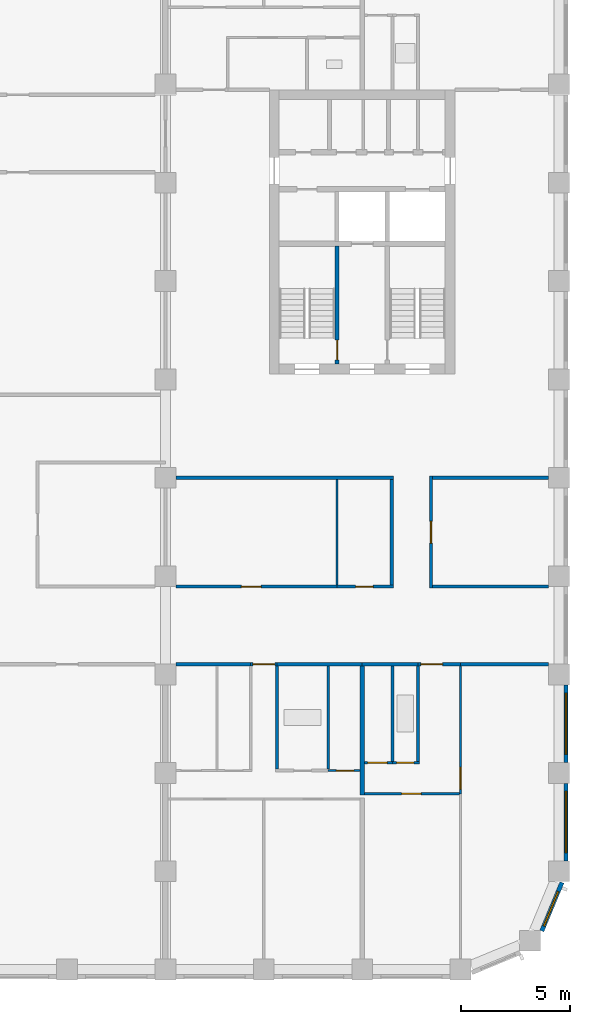
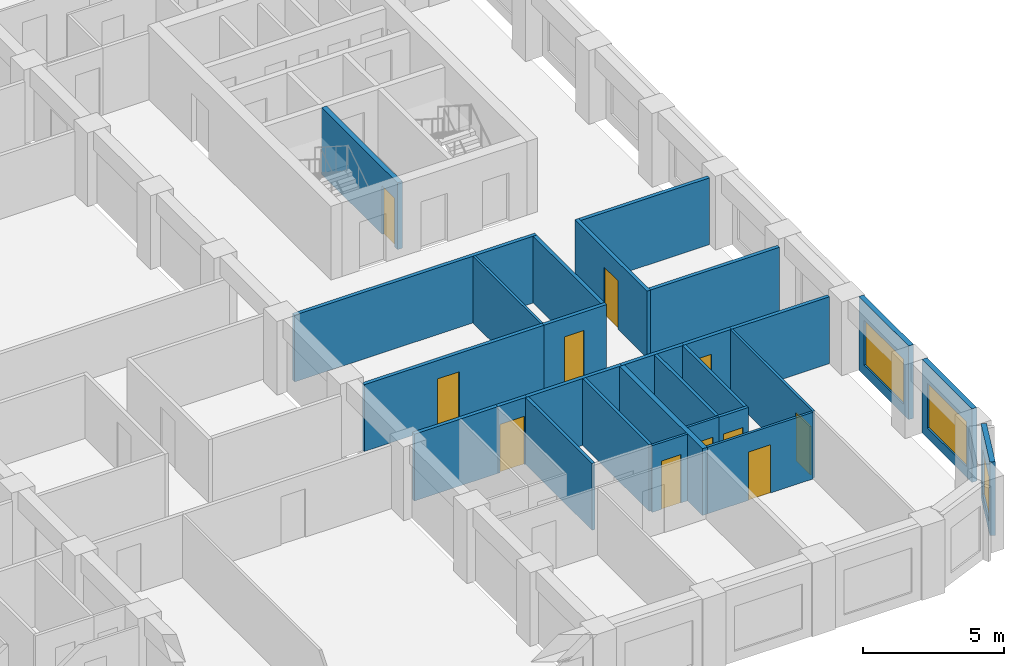
# One storey, part 5 of 12: 28 walls, 11 doors, 3 windows, 14 openings.
"""IFC4 building model written with IfcOpenShell, lengths in metres."""

import ifcopenshell
import ifcopenshell.guid

model = None  # the IFC model being written
_history = None  # IfcOwnerHistory: only IFC2X3 demands one
_inside = {}  # id of a spatial element -> (the spatial element, [elements in it])
_under = {}  # id of a project, library or spatial element -> (it, [spatial elements below it])
_declared = {}  # id of a project -> (the project, [libraries it declares])
_typed = {}  # id of a type object -> (the type object, [elements of that type])
_made_of = {}  # id of a material, layer set ... -> (it, [elements and type objects made of it])


def new_model(schema):
    """Start an empty IFC model of exactly this schema.

    Asked for "IFC4X3", IfcOpenShell would pick the latest addendum, in which some entities
    have other attributes; the version numbers below select the first issue.
    IFC2X3 requires an IfcOwnerHistory on every rooted entity: one is made here for all.
    """
    global model, _history
    if schema == "IFC4X3":
        model = ifcopenshell.file(schema_version=(4, 3, 0, 0))
    else:
        model = ifcopenshell.file(schema=schema)
    _inside.clear()
    _under.clear()
    _declared.clear()
    _typed.clear()
    _made_of.clear()
    _history = None
    if model.schema == "IFC2X3":
        org = make("IfcOrganization", Name="unknown")
        user = make(
            "IfcPersonAndOrganization",
            ThePerson=make("IfcPerson", FamilyName="unknown"),
            TheOrganization=org,
        )
        app = make(
            "IfcApplication",
            ApplicationDeveloper=org,
            Version="unknown",
            ApplicationFullName="unknown",
            ApplicationIdentifier="unknown",
        )
        _history = make(
            "IfcOwnerHistory",
            OwningUser=user,
            OwningApplication=app,
            ChangeAction="ADDED",
            CreationDate=0,
        )
    return model


def make(cls, **values):
    """One entity of the class cls with the attributes given. An attribute that is None is left unset."""
    return model.create_entity(
        cls, **{name: value for name, value in values.items() if value is not None}
    )


def rooted(cls, **values):
    """An entity with a GlobalId (a new one), such as an element, a storey or a relation."""
    return make(cls, GlobalId=ifcopenshell.guid.new(), OwnerHistory=_history, **values)


def si_unit(unit_type, name, prefix=None):
    """IfcSIUnit, for example si_unit("LENGTHUNIT", "METRE", prefix="MILLI")."""
    return make("IfcSIUnit", UnitType=unit_type, Prefix=prefix, Name=name)


def assignment(units):
    """IfcUnitAssignment: the units of a project."""
    return None if units is None else make("IfcUnitAssignment", Units=units)


def point(xyz):
    """IfcCartesianPoint."""
    return None if xyz is None else make("IfcCartesianPoint", Coordinates=xyz)


def direction(xyz):
    """IfcDirection."""
    return None if xyz is None else make("IfcDirection", DirectionRatios=xyz)


def frame(location, z_axis=None, x_axis=None):
    """IfcAxis2Placement3D, a coordinate frame: its origin and axes. An axis left out is left unset."""
    return make(
        "IfcAxis2Placement3D",
        Location=point(location),
        Axis=direction(z_axis),
        RefDirection=direction(x_axis),
    )


def frame_2d(location, x_axis=None):
    """IfcAxis2Placement2D, a coordinate frame in the plane: its origin and x axis."""
    return make(
        "IfcAxis2Placement2D", Location=point(location), RefDirection=direction(x_axis)
    )


def origin():
    """The frame at (0, 0, 0) with its axes left unset."""
    return frame((0.0, 0.0, 0.0))


def place(relative_to, where):
    """IfcLocalPlacement: puts the frame where relative to a parent placement (None: the world)."""
    return make(
        "IfcLocalPlacement", PlacementRelTo=relative_to, RelativePlacement=where
    )


def context(
    kind, dimensions, precision=None, world=None, true_north=None, identifier=None
):
    """IfcGeometricRepresentationContext, for example the 3D "Model" context."""
    return make(
        "IfcGeometricRepresentationContext",
        ContextIdentifier=identifier,
        ContextType=kind,
        CoordinateSpaceDimension=dimensions,
        Precision=precision,
        WorldCoordinateSystem=world,
        TrueNorth=true_north,
    )


def subcontext(parent, identifier, kind, view, scale=None):
    """IfcGeometricRepresentationSubContext, for example "Body" below "Model"."""
    return make(
        "IfcGeometricRepresentationSubContext",
        ContextIdentifier=identifier,
        ContextType=kind,
        ParentContext=parent,
        TargetScale=scale,
        TargetView=view,
    )


def project(units=None, contexts=None):
    """IfcProject with its units and contexts."""
    return rooted(
        "IfcProject",
        Name="project",
        RepresentationContexts=contexts,
        UnitsInContext=assignment(units),
    )


def spatial(cls, under=None, at=None, **own):
    """A site, building, storey or space (cls), placed at a placement, below another one or the project."""
    s = rooted(cls, ObjectPlacement=at, **own)
    if under is not None:
        _under.setdefault(under.id(), (under, []))[1].append(s)
    return s


def profile(cls, at=None, kind="AREA", **sizes):
    """A parametric profile (cls). Its sizes go by their IFC names, for example OverallWidth=200.0."""
    return make(cls, ProfileType=kind, Position=at, **sizes)


def rectangle(**sizes):
    """IfcRectangleProfileDef."""
    return profile("IfcRectangleProfileDef", **sizes)


def extrude(swept, where, along, depth):
    """IfcExtrudedAreaSolid: the profile swept, set in the frame where, extruded along a direction by depth."""
    return make(
        "IfcExtrudedAreaSolid",
        SweptArea=swept,
        Position=where,
        ExtrudedDirection=direction(along),
        Depth=depth,
    )


def shape(context_of_items, identifier, shape_type, items):
    """IfcShapeRepresentation: the items that make up one representation, for example the "Body"."""
    return make(
        "IfcShapeRepresentation",
        ContextOfItems=context_of_items,
        RepresentationIdentifier=identifier,
        RepresentationType=shape_type,
        Items=items,
    )


def material(Name=None, Category=None):
    """IfcMaterial."""
    return make("IfcMaterial", Name=Name, Category=Category)


def layer(
    of_material, thickness, ventilated=None, Name=None, Category=None, Priority=None
):
    """IfcMaterialLayer: one layer of a wall or slab, of a material (None: an air gap)."""
    return make(
        "IfcMaterialLayer",
        Material=of_material,
        LayerThickness=thickness,
        IsVentilated=ventilated,
        Name=Name,
        Category=Category,
        Priority=Priority,
    )


def layer_set(layers, Name=None):
    """IfcMaterialLayerSet."""
    return make("IfcMaterialLayerSet", MaterialLayers=layers, LayerSetName=Name)


def made_of(thing, what):
    """Note that an element or type object is made of a material, layer set ...; save() writes the relation."""
    if what is not None:
        _made_of.setdefault(what.id(), (what, []))[1].append(thing)
    return thing


def type_object(cls, material=None, **own):
    """A type object (cls), such as IfcWallType, which elements share."""
    return made_of(rooted(cls, **own), material)


def element(
    cls,
    number,
    at=None,
    inside=None,
    cuts=None,
    type_object=None,
    material=None,
    context=None,
    identifier="Body",
    shape_type=None,
    held_by="IfcProductDefinitionShape",
    body=None,
    shapes=None,
    **own,
):
    """One element of the class cls, such as IfcWall. Its Tag is "e" and its number.

    at: its placement. inside: the storey or other place that contains it. cuts: it is an
    opening in that element (IfcRelVoidsElement). A single representation is given by context,
    identifier, shape_type and body (its items); several are given by shapes. held_by: the class
    of the entity that holds the representations. save() writes the other relations.
    """
    e = rooted(cls, Tag="e%d" % number, ObjectPlacement=at, **own)
    if body is not None:
        shapes = [shape(context, identifier, shape_type, body)]
    if shapes is not None:
        e.Representation = make(held_by, Representations=shapes)
    if inside is not None:
        _inside.setdefault(inside.id(), (inside, []))[1].append(e)
    if cuts is not None:
        rooted(
            "IfcRelVoidsElement", RelatingBuildingElement=cuts, RelatedOpeningElement=e
        )
    if type_object is not None:
        _typed.setdefault(type_object.id(), (type_object, []))[1].append(e)
    return made_of(e, material)


def fill(opening, filler):
    """IfcRelFillsElement: the door or window that sits in an opening."""
    return rooted(
        "IfcRelFillsElement",
        RelatingOpeningElement=opening,
        RelatedBuildingElement=filler,
    )


def aggregate(whole, parts):
    """IfcRelAggregates: a whole, such as a stair, and the parts it consists of."""
    return rooted("IfcRelAggregates", RelatingObject=whole, RelatedObjects=parts)


def save(model, path):
    """Write the relations noted so far, then the file.

    IfcRelAggregates (storeys below a building ...), IfcRelContainedInSpatialStructure (elements
    in a storey), IfcRelDefinesByType, IfcRelAssociatesMaterial and IfcRelDeclares: one each for
    every whole, place, type object, material and project.
    """
    for whole, parts in _under.values():
        aggregate(whole, parts)
    for where, things in _inside.values():
        rooted(
            "IfcRelContainedInSpatialStructure",
            RelatedElements=things,
            RelatingStructure=where,
        )
    for kind, things in _typed.values():
        rooted("IfcRelDefinesByType", RelatedObjects=things, RelatingType=kind)
    for what, things in _made_of.values():
        rooted("IfcRelAssociatesMaterial", RelatedObjects=things, RelatingMaterial=what)
    for by, libraries in _declared.values():
        rooted("IfcRelDeclares", RelatingContext=by, RelatedDefinitions=libraries)
    model.write(path)


model = new_model("IFC4")

# Units and contexts
model_context = context("Model", 3, precision=1e-05, world=origin(), true_north=direction((0.0, 1.0)))
body_context = subcontext(model_context, "Body", "Model", "MODEL_VIEW")
ifc_project = project(units=[si_unit("LENGTHUNIT", "METRE"), si_unit("AREAUNIT", "SQUARE_METRE"), si_unit("VOLUMEUNIT", "CUBIC_METRE"), si_unit("PLANEANGLEUNIT", "RADIAN"), si_unit("MASSUNIT", "GRAM", prefix="KILO")], contexts=[model_context])

# Site, building, storey
site_placement = place(None, origin())
site = spatial("IfcSite", under=ifc_project, at=site_placement, CompositionType="ELEMENT")
building_placement = place(site_placement, origin())
building = spatial("IfcBuilding", under=site, at=building_placement, Name="Girih Gate Residences", CompositionType="ELEMENT")
storey_placement = place(building_placement, frame((0.0, 0.0, 143.0)))
storey = spatial("IfcBuildingStorey", under=building, at=storey_placement, Name="L40", CompositionType="ELEMENT", Elevation=143.0)

# Wall, opening, door
ifc_material_1 = material(Name="Gypsum board on steel studs", Category="steel")
ifc_layer_1 = layer(ifc_material_1, 0.14990234375)
ifc_layer_set_1 = layer_set([ifc_layer_1], Name="Compartment wall 150 mm")
wall_type_1 = type_object("IfcWallType", Name="Compartment wall 150 mm", PredefinedType="PARTITIONING", material=ifc_layer_set_1)
wall_1_placement = place(storey_placement, frame((45.0, 13.97509765625, 0.0), z_axis=(0.0, 0.0, 1.0), x_axis=(-1.0, 0.0, 0.0)))
wall_1 = element("IfcWall", 1, at=wall_1_placement, inside=storey, type_object=wall_type_1, Name="L40 partition", PredefinedType="PARTITIONING", context=body_context, shape_type="SweptSolid", body=[
    extrude(rectangle(XDim=1.949951171875, YDim=0.14990234375, at=frame_2d((0.97509765625, 0.0))), origin(), (0.0, 0.0, 1.0), 2.89990234375),
])
opening_1_placement = place(wall_1_placement, frame((0.820068359375, 0.0, 0.0)))
opening_1 = element("IfcOpeningElement", 2, at=opening_1_placement, cuts=wall_1, Name="Opening A40-020", PredefinedType="OPENING", context=body_context, shape_type="SweptSolid", body=[
    extrude(rectangle(XDim=1.0, YDim=2.10009765625, at=frame_2d((0.5, 1.050048828125))), frame((0.0, 0.0849609375, 0.0), z_axis=(0.0, -1.0, 0.0), x_axis=(1.0, 0.0, 0.0)), (0.0, 0.0, 1.0), 0.169921875),
])
ifc_material_2 = material(Name="Timber, fire-rated core", Category="wood")
door_type_1 = type_object("IfcDoorType", Name="Flat entrance door 1000x2100 FD30S", OperationType="NOTDEFINED", PredefinedType="DOOR", material=ifc_material_2)
door_1_placement = place(opening_1_placement, origin())
door_1 = element("IfcDoor", 3, at=door_1_placement, inside=storey, type_object=door_type_1, Name="Door A40-020", OperationType="SINGLE_SWING_RIGHT", OverallHeight=2.10009765625, OverallWidth=1.0, PredefinedType="DOOR", context=body_context, shape_type="SweptSolid", body=[
    extrude(rectangle(XDim=1.0, YDim=2.10009765625, at=frame_2d((0.5, 1.050048828125))), frame((0.0, 0.02490234375, 0.0), z_axis=(0.0, -1.0, 0.0), x_axis=(1.0, 0.0, 0.0)), (0.0, 0.0, 1.0), 0.050048828125),
])
fill(opening_1, door_1)

# Walls
wall_2_placement = place(storey_placement, frame((40.5, 13.97509765625, 0.0), z_axis=(0.0, 0.0, 1.0), x_axis=(1.0, 0.0, 0.0)))
element("IfcWall", 4, at=wall_2_placement, inside=storey, type_object=wall_type_1, Name="L40 partition", PredefinedType="PARTITIONING", context=body_context, shape_type="SweptSolid", body=[
    extrude(rectangle(XDim=2.550048828125, YDim=0.14990234375, at=frame_2d((1.27490234375, 0.0))), origin(), (0.0, 0.0, 1.0), 2.89990234375),
])
wall_3_placement = place(storey_placement, frame((45.0, 13.97509765625, 0.0), z_axis=(0.0, 0.0, 1.0), x_axis=(1.0, 0.0, 0.0)))
element("IfcWall", 5, at=wall_3_placement, inside=storey, type_object=wall_type_1, Name="L40 partition", PredefinedType="PARTITIONING", context=body_context, shape_type="SweptSolid", body=[
    extrude(rectangle(XDim=4.02490234375, YDim=0.14990234375, at=frame_2d((2.012451171875, 0.0))), origin(), (0.0, 0.0, 1.0), 2.89990234375),
])
wall_4_placement = place(storey_placement, frame((36.60009765625, 13.97509765625, 0.0), z_axis=(0.0, 0.0, 1.0), x_axis=(1.0, 0.0, 0.0)))
element("IfcWall", 6, at=wall_4_placement, inside=storey, type_object=wall_type_1, Name="L40 partition", PredefinedType="PARTITIONING", context=body_context, shape_type="SweptSolid", body=[
    extrude(rectangle(XDim=3.89990234375, YDim=0.14990234375, at=frame_2d((1.949951171875, 0.0))), origin(), (0.0, 0.0, 1.0), 2.89990234375),
])

# Wall, opening, door
wall_5_placement = place(storey_placement, frame((36.60009765625, 13.97509765625, 0.0), z_axis=(0.0, 0.0, 1.0), x_axis=(-1.0, 0.0, 0.0)))
wall_5 = element("IfcWall", 7, at=wall_5_placement, inside=storey, type_object=wall_type_1, Name="L40 partition", PredefinedType="PARTITIONING", context=body_context, shape_type="SweptSolid", body=[
    extrude(rectangle(XDim=1.2001953125, YDim=0.14990234375, at=frame_2d((0.60009765625, 0.0))), origin(), (0.0, 0.0, 1.0), 2.89990234375),
])
opening_2_placement = place(wall_5_placement, frame((0.10009765625, 0.0, 0.0)))
opening_2 = element("IfcOpeningElement", 8, at=opening_2_placement, cuts=wall_5, Name="Opening A40-027", PredefinedType="OPENING", context=body_context, shape_type="SweptSolid", body=[
    extrude(rectangle(XDim=1.0, YDim=2.10009765625, at=frame_2d((0.5, 1.050048828125))), frame((0.0, 0.0849609375, 0.0), z_axis=(0.0, -1.0, 0.0), x_axis=(1.0, 0.0, 0.0)), (0.0, 0.0, 1.0), 0.169921875),
])
door_2_placement = place(opening_2_placement, origin())
door_2 = element("IfcDoor", 9, at=door_2_placement, inside=storey, type_object=door_type_1, Name="Door A40-027", OperationType="SINGLE_SWING_RIGHT", OverallHeight=2.10009765625, OverallWidth=1.0, PredefinedType="DOOR", context=body_context, shape_type="SweptSolid", body=[
    extrude(rectangle(XDim=1.0, YDim=2.10009765625, at=frame_2d((0.5, 1.050048828125))), frame((0.0, 0.02490234375, 0.0), z_axis=(0.0, -1.0, 0.0), x_axis=(1.0, 0.0, 0.0)), (0.0, 0.0, 1.0), 0.050048828125),
])
fill(opening_2, door_2)

# Wall
wall_6_placement = place(storey_placement, frame((31.97509765625, 13.97509765625, 0.0), z_axis=(0.0, 0.0, 1.0), x_axis=(1.0, 0.0, 0.0)))
element("IfcWall", 10, at=wall_6_placement, inside=storey, type_object=wall_type_1, Name="L40 partition", PredefinedType="PARTITIONING", context=body_context, shape_type="SweptSolid", body=[
    extrude(rectangle(XDim=3.4248046875, YDim=0.14990234375, at=frame_2d((1.71240234375, 0.0))), origin(), (0.0, 0.0, 1.0), 2.89990234375),
])

# Wall, opening, door
wall_7_placement = place(storey_placement, frame((31.97509765625, 17.52490234375, 0.0), z_axis=(0.0, 0.0, 1.0), x_axis=(1.0, 0.0, 0.0)))
wall_7 = element("IfcWall", 11, at=wall_7_placement, inside=storey, type_object=wall_type_1, Name="L40 partition", PredefinedType="PARTITIONING", context=body_context, shape_type="SweptSolid", body=[
    extrude(rectangle(XDim=7.375, YDim=0.14990234375, at=frame_2d((3.6875, 0.0))), origin(), (0.0, 0.0, 1.0), 2.89990234375),
])
opening_3_placement = place(wall_7_placement, frame((3.0, 0.0, 0.0)))
opening_3 = element("IfcOpeningElement", 12, at=opening_3_placement, cuts=wall_7, Name="Opening A40-046", PredefinedType="OPENING", context=body_context, shape_type="SweptSolid", body=[
    extrude(rectangle(XDim=0.89990234375, YDim=2.10009765625, at=frame_2d((0.449951171875, 1.050048828125))), frame((0.0, 0.0849609375, 0.0), z_axis=(0.0, -1.0, 0.0), x_axis=(1.0, 0.0, 0.0)), (0.0, 0.0, 1.0), 0.169921875),
])
ifc_material_3 = material(Name="Timber", Category="wood")
door_type_2 = type_object("IfcDoorType", Name="Service room door 900x2100", OperationType="NOTDEFINED", PredefinedType="DOOR", material=ifc_material_3)
door_3_placement = place(opening_3_placement, origin())
door_3 = element("IfcDoor", 13, at=door_3_placement, inside=storey, type_object=door_type_2, Name="Door A40-046", OperationType="SINGLE_SWING_LEFT", OverallHeight=2.10009765625, OverallWidth=0.89990234375, PredefinedType="DOOR", context=body_context, shape_type="SweptSolid", body=[
    extrude(rectangle(XDim=0.89990234375, YDim=2.10009765625, at=frame_2d((0.449951171875, 1.050048828125))), frame((0.0, 0.02490234375, 0.0), z_axis=(0.0, -1.0, 0.0), x_axis=(1.0, 0.0, 0.0)), (0.0, 0.0, 1.0), 0.050048828125),
])
fill(opening_3, door_3)

wall_8_placement = place(storey_placement, frame((39.35009765625, 17.52490234375, 0.0), z_axis=(0.0, 0.0, 1.0), x_axis=(1.0, 0.0, 0.0)))
wall_8 = element("IfcWall", 14, at=wall_8_placement, inside=storey, type_object=wall_type_1, Name="L40 partition", PredefinedType="PARTITIONING", context=body_context, shape_type="SweptSolid", body=[
    extrude(rectangle(XDim=2.574951171875, YDim=0.14990234375, at=frame_2d((1.28759765625, 0.0))), origin(), (0.0, 0.0, 1.0), 2.89990234375),
])
opening_4_placement = place(wall_8_placement, frame((0.85009765625, 0.0, 0.0)))
opening_4 = element("IfcOpeningElement", 15, at=opening_4_placement, cuts=wall_8, Name="Opening A40-048", PredefinedType="OPENING", context=body_context, shape_type="SweptSolid", body=[
    extrude(rectangle(XDim=0.800048828125, YDim=2.10009765625, at=frame_2d((0.39990234375, 1.050048828125))), frame((0.0, 0.0849609375, 0.0), z_axis=(0.0, -1.0, 0.0), x_axis=(1.0, 0.0, 0.0)), (0.0, 0.0, 1.0), 0.169921875),
])
door_type_3 = type_object("IfcDoorType", Name="Bathroom door 800x2100", OperationType="NOTDEFINED", PredefinedType="DOOR", material=ifc_material_3)
door_4_placement = place(opening_4_placement, origin())
door_4 = element("IfcDoor", 16, at=door_4_placement, inside=storey, type_object=door_type_3, Name="Door A40-048", OperationType="SINGLE_SWING_LEFT", OverallHeight=2.10009765625, OverallWidth=0.800048828125, PredefinedType="DOOR", context=body_context, shape_type="SweptSolid", body=[
    extrude(rectangle(XDim=0.800048828125, YDim=2.10009765625, at=frame_2d((0.39990234375, 1.050048828125))), frame((0.0, 0.02490234375, 0.0), z_axis=(0.0, -1.0, 0.0), x_axis=(1.0, 0.0, 0.0)), (0.0, 0.0, 1.0), 0.050048828125),
])
fill(opening_4, door_4)

# Walls
wall_9_placement = place(storey_placement, frame((43.72509765625, 17.52490234375, 0.0), z_axis=(0.0, 0.0, 1.0), x_axis=(1.0, 0.0, 0.0)))
element("IfcWall", 17, at=wall_9_placement, inside=storey, type_object=wall_type_1, Name="L40 partition", PredefinedType="PARTITIONING", context=body_context, shape_type="SweptSolid", body=[
    extrude(rectangle(XDim=5.2998046875, YDim=0.14990234375, at=frame_2d((2.64990234375, 0.0))), origin(), (0.0, 0.0, 1.0), 2.89990234375),
])
wall_10_placement = place(storey_placement, frame((31.97509765625, 22.5, 0.0), z_axis=(0.0, 0.0, 1.0), x_axis=(1.0, 0.0, 0.0)))
element("IfcWall", 18, at=wall_10_placement, inside=storey, type_object=wall_type_1, Name="L40 partition", PredefinedType="PARTITIONING", context=body_context, shape_type="SweptSolid", body=[
    extrude(rectangle(XDim=9.949951171875, YDim=0.14990234375, at=frame_2d((4.97509765625, 0.0))), origin(), (0.0, 0.0, 1.0), 2.89990234375),
])
wall_11_placement = place(storey_placement, frame((43.72509765625, 22.5, 0.0), z_axis=(0.0, 0.0, 1.0), x_axis=(1.0, 0.0, 0.0)))
element("IfcWall", 19, at=wall_11_placement, inside=storey, type_object=wall_type_1, Name="L40 partition", PredefinedType="PARTITIONING", context=body_context, shape_type="SweptSolid", body=[
    extrude(rectangle(XDim=5.2998046875, YDim=0.14990234375, at=frame_2d((2.64990234375, 0.0))), origin(), (0.0, 0.0, 1.0), 2.89990234375),
])
wall_12_placement = place(storey_placement, frame((41.85009765625, 17.60009765625, 0.0), z_axis=(0.0, 0.0, 1.0), x_axis=(0.0, 1.0, 0.0)))
element("IfcWall", 20, at=wall_12_placement, inside=storey, type_object=wall_type_1, Name="L40 partition", PredefinedType="PARTITIONING", context=body_context, shape_type="SweptSolid", body=[
    extrude(rectangle(XDim=4.824951171875, YDim=0.14990234375, at=frame_2d((2.41259765625, 0.0))), origin(), (0.0, 0.0, 1.0), 2.89990234375),
])

# Wall, opening, door
wall_13_placement = place(storey_placement, frame((43.64990234375, 22.574951171875, 0.0), z_axis=(0.0, 0.0, 1.0), x_axis=(0.0, -1.0, 0.0)))
wall_13 = element("IfcWall", 21, at=wall_13_placement, inside=storey, type_object=wall_type_1, Name="L40 partition", PredefinedType="PARTITIONING", context=body_context, shape_type="SweptSolid", body=[
    extrude(rectangle(XDim=5.125, YDim=0.14990234375, at=frame_2d((2.5625, 0.0))), origin(), (0.0, 0.0, 1.0), 2.89990234375),
])
opening_5_placement = place(wall_13_placement, frame((2.0625, 0.0, 0.0)))
opening_5 = element("IfcOpeningElement", 22, at=opening_5_placement, cuts=wall_13, Name="Opening A40-050", PredefinedType="OPENING", context=body_context, shape_type="SweptSolid", body=[
    extrude(rectangle(XDim=1.0, YDim=2.10009765625, at=frame_2d((0.5, 1.050048828125))), frame((0.0, 0.0849609375, 0.0), z_axis=(0.0, -1.0, 0.0), x_axis=(1.0, 0.0, 0.0)), (0.0, 0.0, 1.0), 0.169921875),
])
door_type_4 = type_object("IfcDoorType", Name="Amenity room door 1000x2100 FD30S", OperationType="NOTDEFINED", PredefinedType="DOOR", material=ifc_material_2)
door_5_placement = place(opening_5_placement, origin())
door_5 = element("IfcDoor", 23, at=door_5_placement, inside=storey, type_object=door_type_4, Name="Door A40-050", OperationType="SINGLE_SWING_RIGHT", OverallHeight=2.10009765625, OverallWidth=1.0, PredefinedType="DOOR", context=body_context, shape_type="SweptSolid", body=[
    extrude(rectangle(XDim=1.0, YDim=2.10009765625, at=frame_2d((0.5, 1.050048828125))), frame((0.0, 0.02490234375, 0.0), z_axis=(0.0, -1.0, 0.0), x_axis=(1.0, 0.0, 0.0)), (0.0, 0.0, 1.0), 0.050048828125),
])
fill(opening_5, door_5)

ifc_layer_2 = layer(ifc_material_1, 0.10009765625)
ifc_layer_set_2 = layer_set([ifc_layer_2], Name="Partition 100 mm")
wall_type_2 = type_object("IfcWallType", Name="Partition 100 mm", PredefinedType="PARTITIONING", material=ifc_layer_set_2)
wall_14_placement = place(storey_placement, frame((44.949951171875, 8.044921875, 0.0), z_axis=(0.0, 0.0, 1.0), x_axis=(-1.0, 0.0, 0.0)))
wall_14 = element("IfcWall", 24, at=wall_14_placement, inside=storey, type_object=wall_type_2, Name="L40 partition", PredefinedType="PARTITIONING", context=body_context, shape_type="SweptSolid", body=[
    extrude(rectangle(XDim=4.349853515625, YDim=0.10009765625, at=frame_2d((2.1748046875, 0.0))), origin(), (0.0, 0.0, 1.0), 2.89990234375),
])
opening_6_placement = place(wall_14_placement, frame((1.75, 0.0, 0.0)))
opening_6 = element("IfcOpeningElement", 25, at=opening_6_placement, cuts=wall_14, Name="Opening A40-017", PredefinedType="OPENING", context=body_context, shape_type="SweptSolid", body=[
    extrude(rectangle(XDim=0.89990234375, YDim=2.10009765625, at=frame_2d((0.449951171875, 1.050048828125))), frame((0.0, 0.06005859375, 0.0), z_axis=(0.0, -1.0, 0.0), x_axis=(1.0, 0.0, 0.0)), (0.0, 0.0, 1.0), 0.1201171875),
])
door_type_5 = type_object("IfcDoorType", Name="Bedroom door 900x2100", OperationType="NOTDEFINED", PredefinedType="DOOR", material=ifc_material_3)
door_6_placement = place(opening_6_placement, origin())
door_6 = element("IfcDoor", 26, at=door_6_placement, inside=storey, type_object=door_type_5, Name="Door A40-017", OperationType="SINGLE_SWING_RIGHT", OverallHeight=2.10009765625, OverallWidth=0.89990234375, PredefinedType="DOOR", context=body_context, shape_type="SweptSolid", body=[
    extrude(rectangle(XDim=0.89990234375, YDim=2.10009765625, at=frame_2d((0.449951171875, 1.050048828125))), frame((0.0, 0.02490234375, 0.0), z_axis=(0.0, -1.0, 0.0), x_axis=(1.0, 0.0, 0.0)), (0.0, 0.0, 1.0), 0.050048828125),
])
fill(opening_6, door_6)

wall_15_placement = place(storey_placement, frame((40.60009765625, 9.465087890625, 0.0), z_axis=(0.0, 0.0, 1.0), x_axis=(1.0, 0.0, 0.0)))
wall_15 = element("IfcWall", 27, at=wall_15_placement, inside=storey, type_object=wall_type_2, Name="L40 partition", PredefinedType="PARTITIONING", context=body_context, shape_type="SweptSolid", body=[
    extrude(rectangle(XDim=1.290771484375, YDim=0.10009765625, at=frame_2d((0.6455078125, 0.0))), origin(), (0.0, 0.0, 1.0), 2.89990234375),
])
opening_7_placement = place(wall_15_placement, frame((0.1455078125, 0.0, 0.0)))
opening_7 = element("IfcOpeningElement", 28, at=opening_7_placement, cuts=wall_15, Name="Opening A40-018", PredefinedType="OPENING", context=body_context, shape_type="SweptSolid", body=[
    extrude(rectangle(XDim=0.89990234375, YDim=2.10009765625, at=frame_2d((0.449951171875, 1.050048828125))), frame((0.0, 0.06005859375, 0.0), z_axis=(0.0, -1.0, 0.0), x_axis=(1.0, 0.0, 0.0)), (0.0, 0.0, 1.0), 0.1201171875),
])
door_type_6 = type_object("IfcDoorType", Name="Kitchen door 900x2100", OperationType="NOTDEFINED", PredefinedType="DOOR", material=ifc_material_3)
door_7_placement = place(opening_7_placement, origin())
door_7 = element("IfcDoor", 29, at=door_7_placement, inside=storey, type_object=door_type_6, Name="Door A40-018", OperationType="SINGLE_SWING_LEFT", OverallHeight=2.10009765625, OverallWidth=0.89990234375, PredefinedType="DOOR", context=body_context, shape_type="SweptSolid", body=[
    extrude(rectangle(XDim=0.89990234375, YDim=2.10009765625, at=frame_2d((0.449951171875, 1.050048828125))), frame((0.0, 0.02490234375, 0.0), z_axis=(0.0, -1.0, 0.0), x_axis=(1.0, 0.0, 0.0)), (0.0, 0.0, 1.0), 0.050048828125),
])
fill(opening_7, door_7)

wall_16_placement = place(storey_placement, frame((45.0, 13.89990234375, 0.0), z_axis=(0.0, 0.0, 1.0), x_axis=(0.0, -1.0, 0.0)))
wall_16 = element("IfcWall", 30, at=wall_16_placement, inside=storey, type_object=wall_type_2, Name="L40 partition", PredefinedType="PARTITIONING", context=body_context, shape_type="SweptSolid", body=[
    extrude(rectangle(XDim=5.85498046875, YDim=0.10009765625, at=frame_2d((2.927490234375, 0.0))), origin(), (0.0, 0.0, 1.0), 2.89990234375),
])
opening_8_placement = place(wall_16_placement, frame((4.64501953125, 0.0, 0.0)))
opening_8 = element("IfcOpeningElement", 31, at=opening_8_placement, cuts=wall_16, Name="Opening A40-019", PredefinedType="OPENING", context=body_context, shape_type="SweptSolid", body=[
    extrude(rectangle(XDim=1.0, YDim=2.10009765625, at=frame_2d((0.5, 1.050048828125))), frame((0.0, 0.06005859375, 0.0), z_axis=(0.0, -1.0, 0.0), x_axis=(1.0, 0.0, 0.0)), (0.0, 0.0, 1.0), 0.1201171875),
])
door_type_7 = type_object("IfcDoorType", Name="Living room door 1000x2100", OperationType="NOTDEFINED", PredefinedType="DOOR", material=ifc_material_3)
door_8_placement = place(opening_8_placement, origin())
door_8 = element("IfcDoor", 32, at=door_8_placement, inside=storey, type_object=door_type_7, Name="Door A40-019", OperationType="SINGLE_SWING_RIGHT", OverallHeight=2.10009765625, OverallWidth=1.0, PredefinedType="DOOR", context=body_context, shape_type="SweptSolid", body=[
    extrude(rectangle(XDim=1.0, YDim=2.10009765625, at=frame_2d((0.5, 1.050048828125))), frame((0.0, 0.02490234375, 0.0), z_axis=(0.0, -1.0, 0.0), x_axis=(1.0, 0.0, 0.0)), (0.0, 0.0, 1.0), 0.050048828125),
])
fill(opening_8, door_8)

wall_17_placement = place(storey_placement, frame((38.946533203125, 9.10498046875, 0.0), z_axis=(0.0, 0.0, 1.0), x_axis=(1.0, 0.0, 0.0)))
wall_17 = element("IfcWall", 33, at=wall_17_placement, inside=storey, type_object=wall_type_2, Name="L40 partition", PredefinedType="PARTITIONING", context=body_context, shape_type="SweptSolid", body=[
    extrude(rectangle(XDim=1.453369140625, YDim=0.10009765625, at=frame_2d((0.7265625, 0.0))), origin(), (0.0, 0.0, 1.0), 2.89990234375),
])
opening_9_placement = place(wall_17_placement, frame((0.376708984375, 0.0, 0.0)))
opening_9 = element("IfcOpeningElement", 34, at=opening_9_placement, cuts=wall_17, Name="Opening A40-025", PredefinedType="OPENING", context=body_context, shape_type="SweptSolid", body=[
    extrude(rectangle(XDim=0.800048828125, YDim=2.10009765625, at=frame_2d((0.39990234375, 1.050048828125))), frame((0.0, 0.06005859375, 0.0), z_axis=(0.0, -1.0, 0.0), x_axis=(1.0, 0.0, 0.0)), (0.0, 0.0, 1.0), 0.1201171875),
])
door_type_8 = type_object("IfcDoorType", Name="Store door 800x2100", OperationType="NOTDEFINED", PredefinedType="DOOR", material=ifc_material_3)
door_9_placement = place(opening_9_placement, origin())
door_9 = element("IfcDoor", 35, at=door_9_placement, inside=storey, type_object=door_type_8, Name="Door A40-025", OperationType="SINGLE_SWING_RIGHT", OverallHeight=2.10009765625, OverallWidth=0.800048828125, PredefinedType="DOOR", context=body_context, shape_type="SweptSolid", body=[
    extrude(rectangle(XDim=0.800048828125, YDim=2.10009765625, at=frame_2d((0.39990234375, 1.050048828125))), frame((0.0, 0.02490234375, 0.0), z_axis=(0.0, -1.0, 0.0), x_axis=(1.0, 0.0, 0.0)), (0.0, 0.0, 1.0), 0.050048828125),
])
fill(opening_9, door_9)

# Walls
wall_18_placement = place(storey_placement, frame((39.35009765625, 17.60009765625, 0.0), z_axis=(0.0, 0.0, 1.0), x_axis=(0.0, 1.0, 0.0)))
element("IfcWall", 36, at=wall_18_placement, inside=storey, type_object=wall_type_2, Name="L40 partition", PredefinedType="PARTITIONING", context=body_context, shape_type="SweptSolid", body=[
    extrude(rectangle(XDim=4.824951171875, YDim=0.10009765625, at=frame_2d((2.41259765625, 0.0))), origin(), (0.0, 0.0, 1.0), 2.89990234375),
])
ifc_layer_3 = layer(ifc_material_1, 0.199951171875)
ifc_layer_set_3 = layer_set([ifc_layer_3], Name="Party wall 200 mm")
wall_type_3 = type_object("IfcWallType", Name="Party wall 200 mm", PredefinedType="PARTITIONING", material=ifc_layer_set_3)
wall_19_placement = place(storey_placement, frame((40.5, 7.9951171875, 0.0), z_axis=(0.0, 0.0, 1.0), x_axis=(0.0, 1.0, 0.0)))
element("IfcWall", 37, at=wall_19_placement, inside=storey, type_object=wall_type_3, Name="L40 partition", PredefinedType="PARTITIONING", context=body_context, shape_type="SweptSolid", body=[
    extrude(rectangle(XDim=5.90478515625, YDim=0.199951171875, at=frame_2d((2.952392578125, 0.0))), origin(), (0.0, 0.0, 1.0), 2.89990234375),
])

# Wall, opening, window
ifc_material_4 = material(Name="Precast concrete C50/60", Category="concrete")
ifc_layer_4 = layer(ifc_material_4, 0.06005859375, Name="Outer leaf")
ifc_material_5 = material(Name="Rigid PIR insulation")
ifc_layer_5 = layer(ifc_material_5, 0.090087890625, Name="Insulation")
ifc_material_6 = material(Name="Precast concrete C40/50", Category="concrete")
ifc_layer_6 = layer(ifc_material_6, 0.050048828125, Name="Inner leaf")
ifc_layer_set_4 = layer_set([ifc_layer_4, ifc_layer_5, ifc_layer_6], Name="Precast concrete C50/60 external wall 200")
wall_type_4 = type_object("IfcWallType", Name="Precast concrete C50/60 external wall 200", PredefinedType="SOLIDWALL", material=ifc_layer_set_4)
wall_20_placement = place(storey_placement, frame((49.63916015625, 3.98681640625, 0.0), z_axis=(0.0, 0.0, 1.0), x_axis=(-0.382680855588, -0.923880599843, 0.0)))
wall_20 = element("IfcWall", 38, at=wall_20_placement, inside=storey, type_object=wall_type_4, Name="External wall SE0482_0013.0", PredefinedType="SOLIDWALL", context=body_context, shape_type="SweptSolid", body=[
    extrude(rectangle(XDim=2.402587890625, YDim=0.199951171875, at=frame_2d((1.201171875, 0.0))), origin(), (0.0, 0.0, 1.0), 3.199951171875),
])
opening_10_placement = place(wall_20_placement, frame((0.451171875, 0.0, 0.449951171875)))
opening_10 = element("IfcOpeningElement", 39, at=opening_10_placement, cuts=wall_20, Name="Opening W-2E", PredefinedType="OPENING", context=body_context, shape_type="SweptSolid", body=[
    extrude(rectangle(XDim=1.699951171875, YDim=1.949951171875, at=frame_2d((0.85009765625, 0.97509765625))), frame((0.0, 0.10986328125, 0.0), z_axis=(0.0, -1.0, 0.0), x_axis=(1.0, 0.0, 0.0)), (0.0, 0.0, 1.0), 0.219970703125),
])
ifc_material_7 = material(Name="Double glazing in aluminium frame", Category="aluminium")
window_type_1 = type_object("IfcWindowType", Name="Window W-2E 1700x1950", PartitioningType="SINGLE_PANEL", PredefinedType="WINDOW", material=ifc_material_7)
window_1_placement = place(opening_10_placement, origin())
window_1 = element("IfcWindow", 40, at=window_1_placement, inside=storey, type_object=window_type_1, Name="Window W-2E SE0482_0013.0", OverallHeight=1.949951171875, OverallWidth=1.699951171875, PartitioningType="SINGLE_PANEL", PredefinedType="WINDOW", context=body_context, shape_type="SweptSolid", body=[
    extrude(rectangle(XDim=1.699951171875, YDim=1.949951171875, at=frame_2d((0.85009765625, 0.97509765625))), frame((0.0, 0.030029296875, 0.0), z_axis=(0.0, -1.0, 0.0), x_axis=(1.0, 0.0, 0.0)), (0.0, 0.0, 1.0), 0.06005859375),
])
fill(opening_10, window_1)

wall_21_placement = place(storey_placement, frame((49.824951171875, 8.52490234375, 0.0), z_axis=(0.0, 0.0, 1.0), x_axis=(0.0, -1.0, 0.0)))
wall_21 = element("IfcWall", 41, at=wall_21_placement, inside=storey, type_object=wall_type_4, Name="External wall E0495_0045.0", PredefinedType="SOLIDWALL", context=body_context, shape_type="SweptSolid", body=[
    extrude(rectangle(XDim=3.5498046875, YDim=0.199951171875, at=frame_2d((1.77490234375, 0.0))), origin(), (0.0, 0.0, 1.0), 3.199951171875),
])
opening_11_placement = place(wall_21_placement, frame((0.375, 0.0, 0.449951171875)))
opening_11 = element("IfcOpeningElement", 42, at=opening_11_placement, cuts=wall_21, Name="Opening W-1B", PredefinedType="OPENING", context=body_context, shape_type="SweptSolid", body=[
    extrude(rectangle(XDim=2.800048828125, YDim=1.949951171875, at=frame_2d((1.39990234375, 0.97509765625))), frame((0.0, 0.10986328125, 0.0), z_axis=(0.0, -1.0, 0.0), x_axis=(1.0, 0.0, 0.0)), (0.0, 0.0, 1.0), 0.219970703125),
])
window_type_2 = type_object("IfcWindowType", Name="Window W-1B 2800x1950", PartitioningType="SINGLE_PANEL", PredefinedType="WINDOW", material=ifc_material_7)
window_2_placement = place(opening_11_placement, origin())
window_2 = element("IfcWindow", 43, at=window_2_placement, inside=storey, type_object=window_type_2, Name="Window W-1B E0495_0045.0", OverallHeight=1.949951171875, OverallWidth=2.800048828125, PartitioningType="SINGLE_PANEL", PredefinedType="WINDOW", context=body_context, shape_type="SweptSolid", body=[
    extrude(rectangle(XDim=2.800048828125, YDim=1.949951171875, at=frame_2d((1.39990234375, 0.97509765625))), frame((0.0, 0.030029296875, 0.0), z_axis=(0.0, -1.0, 0.0), x_axis=(1.0, 0.0, 0.0)), (0.0, 0.0, 1.0), 0.06005859375),
])
fill(opening_11, window_2)

wall_22_placement = place(storey_placement, frame((49.824951171875, 13.02490234375, 0.0), z_axis=(0.0, 0.0, 1.0), x_axis=(0.0, -1.0, 0.0)))
wall_22 = element("IfcWall", 44, at=wall_22_placement, inside=storey, type_object=wall_type_4, Name="External wall E0495_0045.1", PredefinedType="SOLIDWALL", context=body_context, shape_type="SweptSolid", body=[
    extrude(rectangle(XDim=3.5498046875, YDim=0.199951171875, at=frame_2d((1.77490234375, 0.0))), origin(), (0.0, 0.0, 1.0), 3.199951171875),
])
opening_12_placement = place(wall_22_placement, frame((0.375, 0.0, 0.449951171875)))
opening_12 = element("IfcOpeningElement", 45, at=opening_12_placement, cuts=wall_22, Name="Opening W-1B", PredefinedType="OPENING", context=body_context, shape_type="SweptSolid", body=[
    extrude(rectangle(XDim=2.800048828125, YDim=1.949951171875, at=frame_2d((1.39990234375, 0.97509765625))), frame((0.0, 0.10986328125, 0.0), z_axis=(0.0, -1.0, 0.0), x_axis=(1.0, 0.0, 0.0)), (0.0, 0.0, 1.0), 0.219970703125),
])
window_3_placement = place(opening_12_placement, origin())
window_3 = element("IfcWindow", 46, at=window_3_placement, inside=storey, type_object=window_type_2, Name="Window W-1B E0495_0045.1", OverallHeight=1.949951171875, OverallWidth=2.800048828125, PartitioningType="SINGLE_PANEL", PredefinedType="WINDOW", context=body_context, shape_type="SweptSolid", body=[
    extrude(rectangle(XDim=2.800048828125, YDim=1.949951171875, at=frame_2d((1.39990234375, 0.97509765625))), frame((0.0, 0.030029296875, 0.0), z_axis=(0.0, -1.0, 0.0), x_axis=(1.0, 0.0, 0.0)), (0.0, 0.0, 1.0), 0.06005859375),
])
fill(opening_12, window_3)

# Wall, opening, door
ifc_material_8 = material(Name="Concrete C40/50", Category="concrete")
ifc_layer_7 = layer(ifc_material_8, 0.199951171875)
ifc_layer_set_5 = layer_set([ifc_layer_7], Name="Shaft wall 200")
wall_type_5 = type_object("IfcWallType", Name="Shaft wall 200", PredefinedType="SOLIDWALL", material=ifc_layer_set_5)
wall_23_placement = place(storey_placement, frame((39.35009765625, 27.699951171875, 0.0), z_axis=(0.0, 0.0, 1.0), x_axis=(0.0, 1.0, 0.0)))
wall_23 = element("IfcWall", 47, at=wall_23_placement, inside=storey, type_object=wall_type_5, Name="L40 E core wall V2a", PredefinedType="SOLIDWALL", context=body_context, shape_type="SweptSolid", body=[
    extrude(rectangle(XDim=5.400146484375, YDim=0.199951171875, at=frame_2d((2.7001953125, 0.0))), origin(), (0.0, 0.0, 1.0), 2.89990234375),
])
opening_13_placement = place(wall_23_placement, frame((0.199951171875, 0.0, 0.0)))
opening_13 = element("IfcOpeningElement", 48, at=opening_13_placement, cuts=wall_23, Name="Opening D-L40-E-002", PredefinedType="OPENING", context=body_context, shape_type="SweptSolid", body=[
    extrude(rectangle(XDim=0.89990234375, YDim=2.10009765625, at=frame_2d((0.449951171875, 1.050048828125))), frame((0.0, 0.10986328125, 0.0), z_axis=(0.0, -1.0, 0.0), x_axis=(1.0, 0.0, 0.0)), (0.0, 0.0, 1.0), 0.219970703125),
])
ifc_material_9 = material(Name="Painted steel, fire-resisting", Category="steel")
door_type_9 = type_object("IfcDoorType", Name="Fire door 900x2100", OperationType="SINGLE_SWING_LEFT", PredefinedType="DOOR", material=ifc_material_9)
door_10_placement = place(opening_13_placement, origin())
door_10 = element("IfcDoor", 49, at=door_10_placement, inside=storey, type_object=door_type_9, Name="L40 E door stair 2 to firefighting lobby", OperationType="SINGLE_SWING_LEFT", OverallHeight=2.10009765625, OverallWidth=0.89990234375, PredefinedType="DOOR", context=body_context, shape_type="SweptSolid", body=[
    extrude(rectangle(XDim=0.89990234375, YDim=2.10009765625, at=frame_2d((0.449951171875, 1.050048828125))), frame((0.0, 0.02490234375, 0.0), z_axis=(0.0, -1.0, 0.0), x_axis=(1.0, 0.0, 0.0)), (0.0, 0.0, 1.0), 0.050048828125),
])
fill(opening_13, door_10)

# Wall
ifc_layer_8 = layer(ifc_material_1, 0.125)
ifc_layer_set_6 = layer_set([ifc_layer_8], Name="Wet room wall 125 mm")
wall_type_6 = type_object("IfcWallType", Name="Wet room wall 125 mm", PredefinedType="PARTITIONING", material=ifc_layer_set_6)
wall_24_placement = place(storey_placement, frame((43.050048828125, 9.527587890625, 0.0), z_axis=(0.0, 0.0, 1.0), x_axis=(0.0, 1.0, 0.0)))
element("IfcWall", 50, at=wall_24_placement, inside=storey, type_object=wall_type_6, Name="L40 partition", PredefinedType="PARTITIONING", context=body_context, shape_type="SweptSolid", body=[
    extrude(rectangle(XDim=4.372314453125, YDim=0.125, at=frame_2d((2.18603515625, 0.0))), origin(), (0.0, 0.0, 1.0), 2.89990234375),
])

# Wall, opening, door
wall_25_placement = place(storey_placement, frame((41.890869140625, 9.465087890625, 0.0), z_axis=(0.0, 0.0, 1.0), x_axis=(1.0, 0.0, 0.0)))
wall_25 = element("IfcWall", 51, at=wall_25_placement, inside=storey, type_object=wall_type_6, Name="L40 partition", PredefinedType="PARTITIONING", context=body_context, shape_type="SweptSolid", body=[
    extrude(rectangle(XDim=1.2216796875, YDim=0.125, at=frame_2d((0.61083984375, 0.0))), origin(), (0.0, 0.0, 1.0), 2.89990234375),
])
opening_14_placement = place(wall_25_placement, frame((0.179443359375, 0.0, 0.0)))
opening_14 = element("IfcOpeningElement", 52, at=opening_14_placement, cuts=wall_25, Name="Opening A40-016", PredefinedType="OPENING", context=body_context, shape_type="SweptSolid", body=[
    extrude(rectangle(XDim=0.800048828125, YDim=2.10009765625, at=frame_2d((0.39990234375, 1.050048828125))), frame((0.0, 0.072509765625, 0.0), z_axis=(0.0, -1.0, 0.0), x_axis=(1.0, 0.0, 0.0)), (0.0, 0.0, 1.0), 0.14501953125),
])
door_11_placement = place(opening_14_placement, origin())
door_11 = element("IfcDoor", 53, at=door_11_placement, inside=storey, type_object=door_type_3, Name="Door A40-016", OperationType="SINGLE_SWING_LEFT", OverallHeight=2.10009765625, OverallWidth=0.800048828125, PredefinedType="DOOR", context=body_context, shape_type="SweptSolid", body=[
    extrude(rectangle(XDim=0.800048828125, YDim=2.10009765625, at=frame_2d((0.39990234375, 1.050048828125))), frame((0.0, 0.02490234375, 0.0), z_axis=(0.0, -1.0, 0.0), x_axis=(1.0, 0.0, 0.0)), (0.0, 0.0, 1.0), 0.050048828125),
])
fill(opening_14, door_11)

# Walls
wall_26_placement = place(storey_placement, frame((41.89111328125, 9.527587890625, 0.0), z_axis=(0.0, 0.0, 1.0), x_axis=(0.0, 1.0, 0.0)))
element("IfcWall", 54, at=wall_26_placement, inside=storey, type_object=wall_type_6, Name="L40 partition", PredefinedType="PARTITIONING", context=body_context, shape_type="SweptSolid", body=[
    extrude(rectangle(XDim=4.372314453125, YDim=0.125, at=frame_2d((2.18603515625, 0.0))), origin(), (0.0, 0.0, 1.0), 2.89990234375),
])
for number, where, z_axis, x_axis, name in (
    (55, (36.60009765625, 9.16748046875, 0.0), (0.0, 0.0, 1.0), (0.0, 1.0, 0.0), "L40 partition"),
    (56, (38.947021484375, 9.16748046875, 0.0), (0.0, 0.0, 1.0), (0.0, 1.0, 0.0), "L40 partition"),
):
    element("IfcWall", number, at=place(storey_placement, frame(where, z_axis=z_axis, x_axis=x_axis)), inside=storey, type_object=wall_type_6, Name=name, PredefinedType="PARTITIONING", context=body_context, shape_type="SweptSolid", body=[
        extrude(rectangle(XDim=4.732421875, YDim=0.125, at=frame_2d((2.3662109375, 0.0))), origin(), (0.0, 0.0, 1.0), 2.89990234375),
    ])

save(model, "model.ifc")
